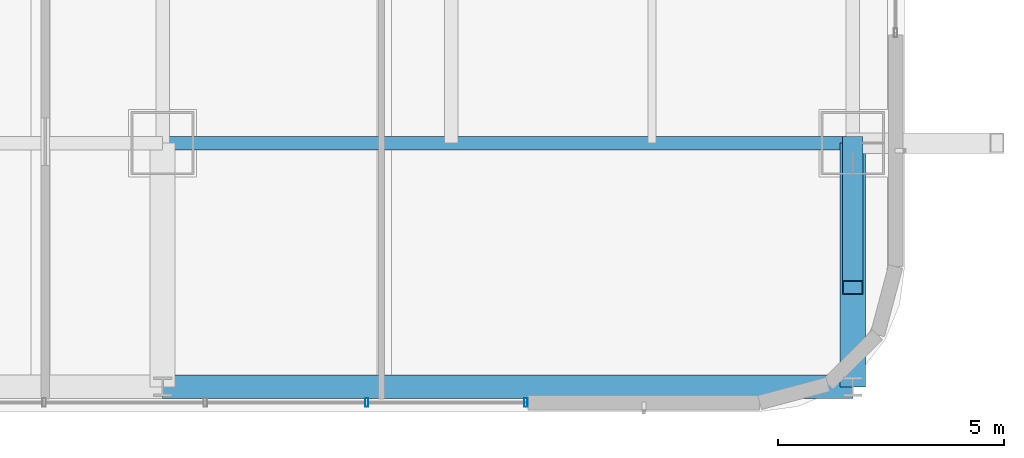
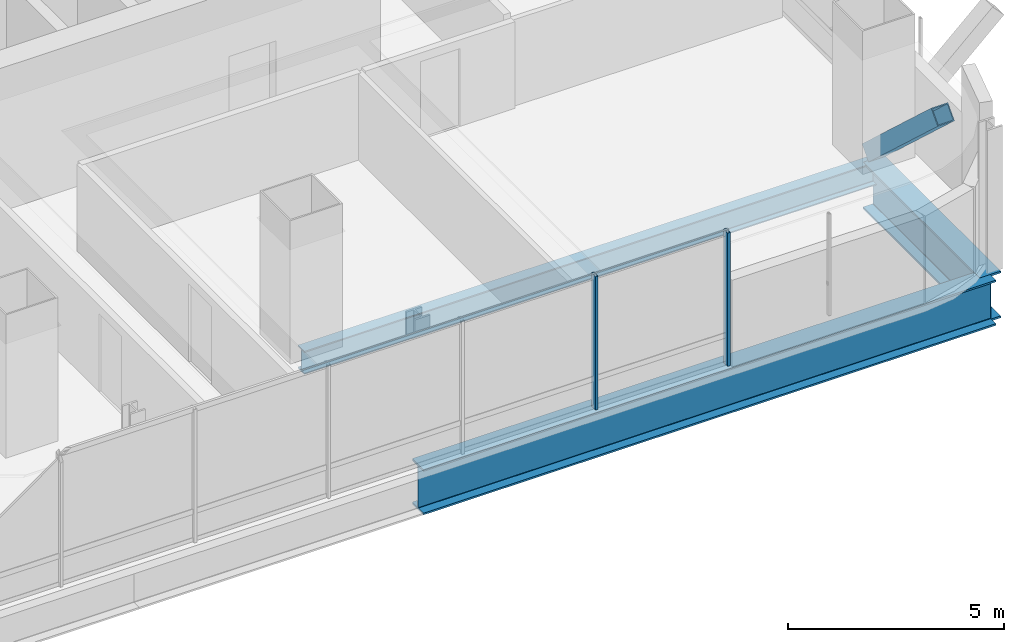
# One storey, part 13 of 46: 3 beams, 3 members, 1 element without a shape of its own.
"""IFC4 building model written with IfcOpenShell, lengths in metres."""

from ifc_helpers import new_model, si_unit, direction, frame, origin, origin_2d, place, context, subcontext, project, spatial, hollow_rectangle, i_section, extrude, material, material_profile, profile_set, type_object, element, aggregate, save


model = new_model("IFC4")

# Units and contexts
model_context = context("Model", 3, precision=1e-05, world=origin(), true_north=direction((0.0, 1.0)))
body_context = subcontext(model_context, "Body", "Model", "MODEL_VIEW")
ifc_project = project(units=[si_unit("LENGTHUNIT", "METRE"), si_unit("AREAUNIT", "SQUARE_METRE"), si_unit("VOLUMEUNIT", "CUBIC_METRE"), si_unit("PLANEANGLEUNIT", "RADIAN"), si_unit("MASSUNIT", "GRAM", prefix="KILO")], contexts=[model_context])

# Site, building, storey
site_placement = place(None, origin())
site = spatial("IfcSite", under=ifc_project, at=site_placement, CompositionType="ELEMENT")
building_placement = place(site_placement, origin())
building = spatial("IfcBuilding", under=site, at=building_placement, Name="Punatoya Terracotta Tower", CompositionType="ELEMENT")
storey_placement = place(building_placement, frame((0.0, 0.0, 200.550048828125)))
storey = spatial("IfcBuildingStorey", under=building, at=storey_placement, Name="L47", CompositionType="ELEMENT", Elevation=200.550048828125)

# Beams
ifc_material_1 = material(Name="Steel S355", Category="steel")
ifc_material_profile_1 = material_profile(ifc_material_1, i_section(OverallWidth=0.300048828125, OverallDepth=0.64990234375, WebThickness=0.01611328125, FlangeThickness=0.031005859375, FilletRadius=0.01806640625, at=origin_2d()))
ifc_profile_set_1 = profile_set([ifc_material_profile_1], Name="Steel S355")
beam_type_1 = type_object("IfcBeamType", Name="BM-PRI-650", PredefinedType="BEAM", material=ifc_profile_set_1)
beam_1_placement = place(storey_placement, frame((3.800048828125, -17.5, -0.545166015625), z_axis=(1.0, 0.0, 0.0), x_axis=(0.0, 1.0, 0.0)))
element("IfcBeam", 1, at=beam_1_placement, inside=storey, type_object=beam_type_1, Name="BM-L47-RG-S3", PredefinedType="BEAM", context=body_context, shape_type="SweptSolid", body=[
    extrude(i_section(OverallWidth=0.300048828125, OverallDepth=0.64990234375, WebThickness=0.01611328125, FlangeThickness=0.031005859375, FilletRadius=0.01806640625, at=origin_2d()), origin(), (0.0, 0.0, 1.0), 15.300048828125),
])
ifc_material_2 = material(Name="Steel S460", Category="steel")
ifc_material_profile_2 = material_profile(ifc_material_2, i_section(OverallWidth=0.56005859375, OverallDepth=1.320068359375, WebThickness=0.035888671875, FlangeThickness=0.054931640625, FilletRadius=0.01806640625, at=origin_2d()))
ifc_profile_set_2 = profile_set([ifc_material_profile_2], Name="Steel S460")
beam_type_2 = type_object("IfcBeamType", Name="BM-TG-BLK", PredefinedType="BEAM", material=ifc_profile_set_2)
beam_2_placement = place(storey_placement, frame((19.10009765625, -22.89990234375, -0.880126953125), z_axis=(0.0, 1.0, 0.0), x_axis=(-1.0, 0.0, 0.0)))
element("IfcBeam", 2, at=beam_2_placement, inside=storey, type_object=beam_type_2, Name="BM-L47-CANT-S4", PredefinedType="BEAM", context=body_context, shape_type="SweptSolid", body=[
    extrude(i_section(OverallWidth=0.56005859375, OverallDepth=1.320068359375, WebThickness=0.035888671875, FlangeThickness=0.054931640625, FilletRadius=0.01806640625, at=origin_2d()), origin(), (0.0, 0.0, 1.0), 5.39990234375),
])
ifc_material_profile_3 = material_profile(ifc_material_2, i_section(OverallWidth=0.52001953125, OverallDepth=1.280029296875, WebThickness=0.031982421875, FlangeThickness=0.050048828125, FilletRadius=0.01806640625, at=origin_2d()))
ifc_profile_set_3 = profile_set([ifc_material_profile_3], Name="Steel S460")
beam_type_3 = type_object("IfcBeamType", Name="BM-TG-NCK", PredefinedType="BEAM", material=ifc_profile_set_3)
beam_3_placement = place(storey_placement, frame((3.800048828125, -22.89990234375, -0.860107421875), z_axis=(1.0, 0.0, 0.0), x_axis=(0.0, 1.0, 0.0)))
element("IfcBeam", 3, at=beam_3_placement, inside=storey, type_object=beam_type_3, Name="BM-L47-PER-S3", PredefinedType="BEAM", context=body_context, shape_type="SweptSolid", body=[
    extrude(i_section(OverallWidth=0.52001953125, OverallDepth=1.280029296875, WebThickness=0.031982421875, FlangeThickness=0.050048828125, FilletRadius=0.01806640625, at=origin_2d()), origin(), (0.0, 0.0, 1.0), 15.300048828125),
])

# Curtain wall, members
ifc_material_3 = material(Name="Aluminium 6063-T6 + Double Low-E Glass", Category="aluminium")
curtain_wall_type = type_object("IfcCurtainWallType", Name="CW-M2", PredefinedType="NOTDEFINED", material=ifc_material_3)
curtain_wall_placement = place(storey_placement, origin())
curtain_wall = element("IfcCurtainWall", 4, at=curtain_wall_placement, inside=storey, type_object=curtain_wall_type, Name="L47 Curtain Wall CW-L47-S01-1", PredefinedType="NOTDEFINED")
ifc_material_4 = material(Name="Aluminium 6063-T6", Category="aluminium")
ifc_material_profile_4 = material_profile(ifc_material_4, hollow_rectangle(XDim=0.072021484375, YDim=0.195068359375, WallThickness=0.00439453125, at=origin_2d()))
ifc_profile_set_4 = profile_set([ifc_material_profile_4], Name="Aluminium 6063-T6")
member_type_1 = type_object("IfcMemberType", Name="CW-MUL-M2", PredefinedType="MULLION", material=ifc_profile_set_4)
member_1_placement = place(storey_placement, frame((8.324951171875, -23.25, 0.0), z_axis=(0.0, 0.0, 1.0), x_axis=(1.0, 0.0, 0.0)))
member_1 = element("IfcMember", 5, at=member_1_placement, type_object=member_type_1, Name="CW-L47-S01-1 Mullion 07", PredefinedType="MULLION", context=body_context, shape_type="SweptSolid", body=[
    extrude(hollow_rectangle(XDim=0.072021484375, YDim=0.195068359375, WallThickness=0.00439453125, at=origin_2d()), origin(), (0.0, 0.0, 1.0), 3.77001953125),
])
member_2_placement = place(storey_placement, frame((11.85498046875, -23.25, 0.0), z_axis=(0.0, 0.0, 1.0), x_axis=(1.0, 0.0, 0.0)))
member_2 = element("IfcMember", 6, at=member_2_placement, type_object=member_type_1, Name="CW-L47-S01-1 Mullion 08", PredefinedType="MULLION", context=body_context, shape_type="SweptSolid", body=[
    extrude(hollow_rectangle(XDim=0.072021484375, YDim=0.195068359375, WallThickness=0.00439453125, at=origin_2d()), origin(), (0.0, 0.0, 1.0), 3.77001953125),
])
aggregate(curtain_wall, [member_1, member_2])

# Member
ifc_material_profile_5 = material_profile(ifc_material_2, hollow_rectangle(XDim=0.449951171875, YDim=0.449951171875, WallThickness=0.02490234375, at=origin_2d()))
ifc_profile_set_5 = profile_set([ifc_material_profile_5], Name="Steel S460")
member_type_2 = type_object("IfcMemberType", Name="MEM-STR-450", PredefinedType="STRUT", material=ifc_profile_set_5)
member_3_placement = place(storey_placement, frame((19.10009765625, -17.5, 0.02001953125), z_axis=(0.0, -0.735244168043, 0.677802340922), x_axis=(1.0, 0.0, 0.0)))
element("IfcMember", 7, at=member_3_placement, inside=storey, type_object=member_type_2, Name="L48 Cantilever Raking Knee-Strut S2", PredefinedType="STRUT", context=body_context, shape_type="SweptSolid", body=[
    extrude(hollow_rectangle(XDim=0.449951171875, YDim=0.449951171875, WallThickness=0.02490234375, at=origin_2d()), origin(), (0.0, 0.0, 1.0), 4.352294921875),
])

save(model, "model.ifc")
